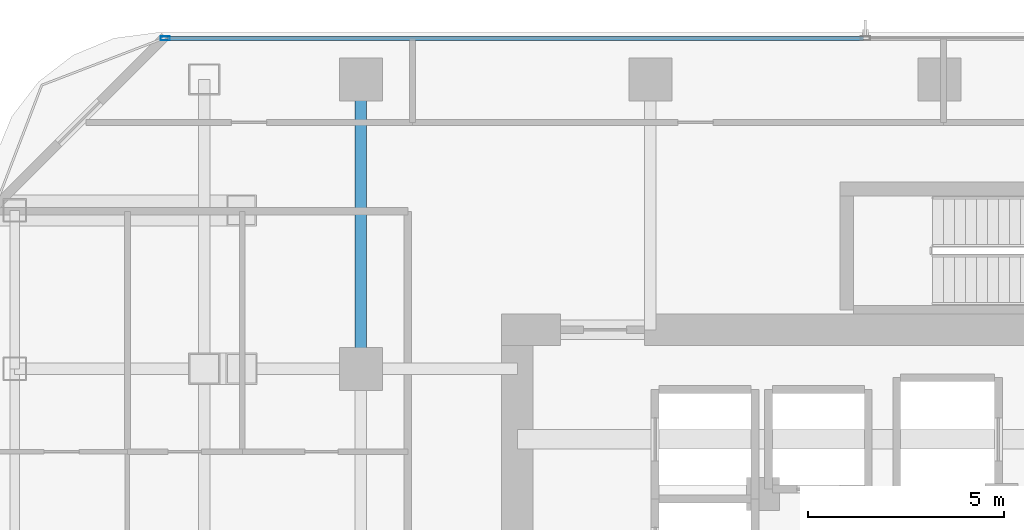
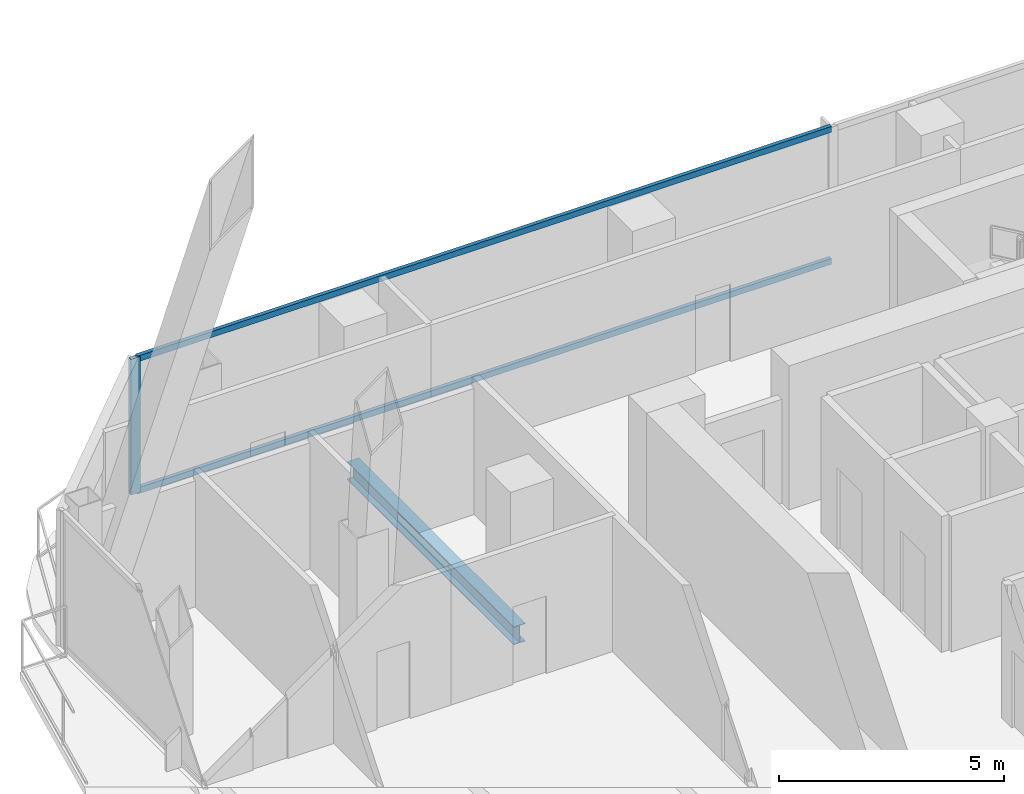
# One storey, part 15 of 27: 3 members, 1 beam, 1 element without a shape of its own.
"""IFC4 building model written with IfcOpenShell, lengths in metres."""

from ifc_helpers import new_model, si_unit, direction, frame, origin, origin_2d, place, context, subcontext, project, spatial, hollow_rectangle, i_section, extrude, material, layer, layer_set, material_profile, profile_set, type_object, element, aggregate, save


model = new_model("IFC4")

# Units and contexts
model_context = context("Model", 3, precision=1e-05, world=origin(), true_north=direction((0.0, 1.0)))
body_context = subcontext(model_context, "Body", "Model", "MODEL_VIEW")
ifc_project = project(units=[si_unit("LENGTHUNIT", "METRE"), si_unit("AREAUNIT", "SQUARE_METRE"), si_unit("VOLUMEUNIT", "CUBIC_METRE"), si_unit("PLANEANGLEUNIT", "RADIAN"), si_unit("MASSUNIT", "GRAM", prefix="KILO")], contexts=[model_context])

# Site, building, storey
site_placement = place(None, origin())
site = spatial("IfcSite", under=ifc_project, at=site_placement, CompositionType="ELEMENT")
building_placement = place(site_placement, origin())
building = spatial("IfcBuilding", under=site, at=building_placement, Name="Khorvyn Point Tower", CompositionType="ELEMENT")
storey_placement = place(building_placement, frame((0.0, 0.0, 203.10009765625)))
storey = spatial("IfcBuildingStorey", under=building, at=storey_placement, Name="L50", CompositionType="ELEMENT", Elevation=203.10009765625)

# Curtain wall, members
ifc_material_1 = material(Name="Anodised aluminium 6063-T6 and laminated Low-E glass", Category="aluminium")
ifc_layer = layer(ifc_material_1, 0.18994140625)
ifc_layer_set = layer_set([ifc_layer], Name="Stick-Built Acoustic Curtain Wall CW-SYS-03")
curtain_wall_type = type_object("IfcCurtainWallType", Name="Stick-Built Acoustic Curtain Wall CW-SYS-03", PredefinedType="NOTDEFINED", material=ifc_layer_set)
curtain_wall_placement = place(storey_placement, origin())
curtain_wall = element("IfcCurtainWall", 1, at=curtain_wall_placement, inside=storey, type_object=curtain_wall_type, Name="Curtain Wall", PredefinedType="NOTDEFINED")
ifc_material_2 = material(Name="Anodised aluminium 6063-T6", Category="aluminium")
ifc_material_profile_1 = material_profile(ifc_material_2, hollow_rectangle(XDim=0.10009765625, YDim=0.239990234375, WallThickness=0.0048828125, at=origin_2d()))
ifc_profile_set_1 = profile_set([ifc_material_profile_1], Name="Anodised aluminium 6063-T6 ALU-MUL-100x240")
member_type_1 = type_object("IfcMemberType", Name="Anodised Aluminium 6063-T6 Mullion ALU-MUL-100x240", PredefinedType="MULLION", material=ifc_profile_set_1)
member_1_placement = place(storey_placement, frame((-19.800048828125, 15.85009765625, 0.0), z_axis=(0.0, 0.0, 1.0), x_axis=(0.0, 1.0, 0.0)))
member_1 = element("IfcMember", 2, at=member_1_placement, type_object=member_type_1, Name="Transom", PredefinedType="MULLION", context=body_context, shape_type="SweptSolid", body=[
    extrude(hollow_rectangle(XDim=0.10009765625, YDim=0.239990234375, WallThickness=0.0048828125, at=origin_2d()), origin(), (0.0, 0.0, 1.0), 3.679931640625),
])
ifc_material_profile_2 = material_profile(ifc_material_2, hollow_rectangle(XDim=0.10009765625, YDim=0.159912109375, WallThickness=0.00439453125, at=origin_2d()))
ifc_profile_set_2 = profile_set([ifc_material_profile_2], Name="Anodised aluminium 6063-T6 ALU-TRN-100x160")
member_type_2 = type_object("IfcMemberType", Name="Anodised Aluminium 6063-T6 Transom ALU-TRN-100x160", PredefinedType="USERDEFINED", material=ifc_profile_set_2)
member_2_placement = place(storey_placement, frame((-19.75, 15.85009765625, 0.0498046875), z_axis=(1.0, 0.0, 0.0), x_axis=(0.0, 1.0, 0.0)))
member_2 = element("IfcMember", 3, at=member_2_placement, type_object=member_type_2, Name="Transom", ObjectType="TRANSOM", PredefinedType="USERDEFINED", context=body_context, shape_type="SweptSolid", body=[
    extrude(hollow_rectangle(XDim=0.10009765625, YDim=0.159912109375, WallThickness=0.00439453125, at=origin_2d()), origin(), (0.0, 0.0, 1.0), 17.800048828125),
])
member_3_placement = place(storey_placement, frame((-19.75, 15.85009765625, 3.6298828125), z_axis=(1.0, 0.0, 0.0), x_axis=(0.0, 1.0, 0.0)))
member_3 = element("IfcMember", 4, at=member_3_placement, type_object=member_type_2, Name="Transom", ObjectType="TRANSOM", PredefinedType="USERDEFINED", context=body_context, shape_type="SweptSolid", body=[
    extrude(hollow_rectangle(XDim=0.10009765625, YDim=0.159912109375, WallThickness=0.00439453125, at=origin_2d()), origin(), (0.0, 0.0, 1.0), 17.800048828125),
])
aggregate(curtain_wall, [member_1, member_2, member_3])

# Beam
ifc_material_3 = material(Name="Steel S355", Category="steel")
ifc_material_profile_3 = material_profile(ifc_material_3, i_section(OverallWidth=0.300048828125, OverallDepth=0.488037109375, WebThickness=0.010986328125, FlangeThickness=0.01806640625, at=origin_2d()))
ifc_profile_set_3 = profile_set([ifc_material_profile_3], Name="Steel S355 H488x300x11x18")
beam_type = type_object("IfcBeamType", Name="Steel S355 Spandrel H488x300x11x18", PredefinedType="SPANDREL", material=ifc_profile_set_3)
beam_placement = place(storey_placement, frame((-14.800048828125, 7.39990234375, -0.464111328125), z_axis=(0.0, 1.0, 0.0), x_axis=(-1.0, 0.0, 0.0)))
element("IfcBeam", 5, at=beam_placement, inside=storey, type_object=beam_type, Name="Beam", PredefinedType="SPANDREL", context=body_context, shape_type="SweptSolid", body=[
    extrude(i_section(OverallWidth=0.300048828125, OverallDepth=0.488037109375, WebThickness=0.010986328125, FlangeThickness=0.01806640625, at=origin_2d()), origin(), (0.0, 0.0, 1.0), 7.400146484375),
])

save(model, "model.ifc")
